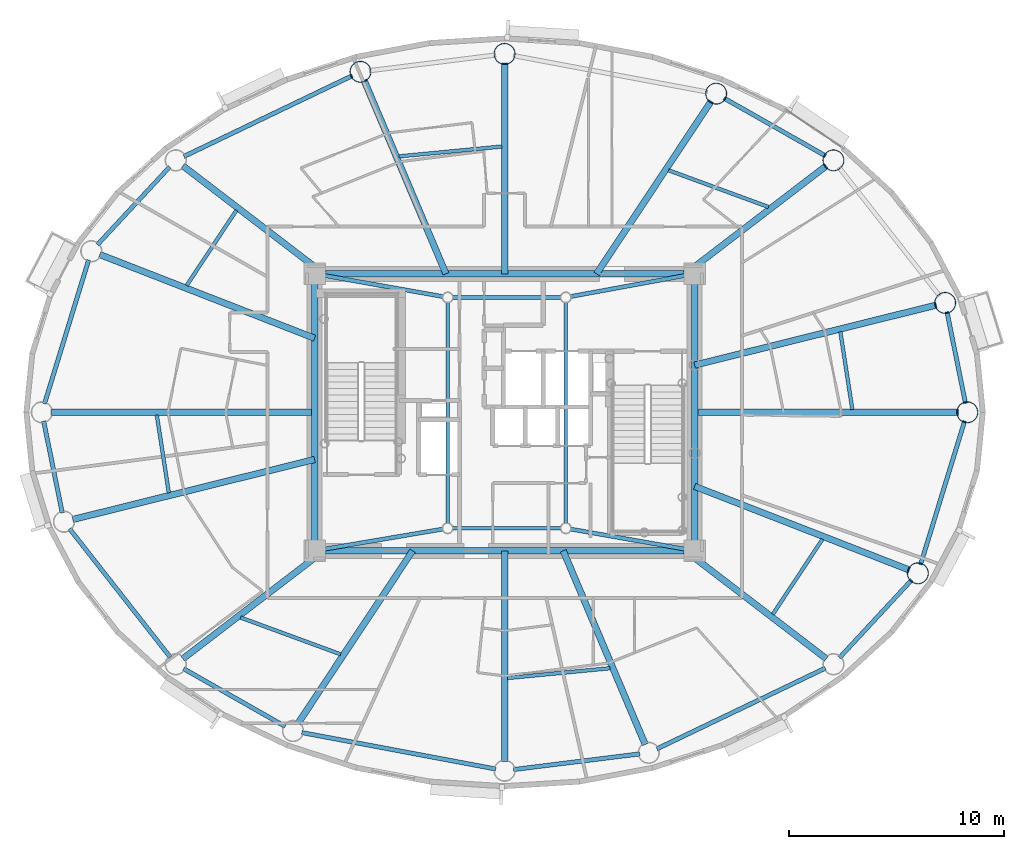
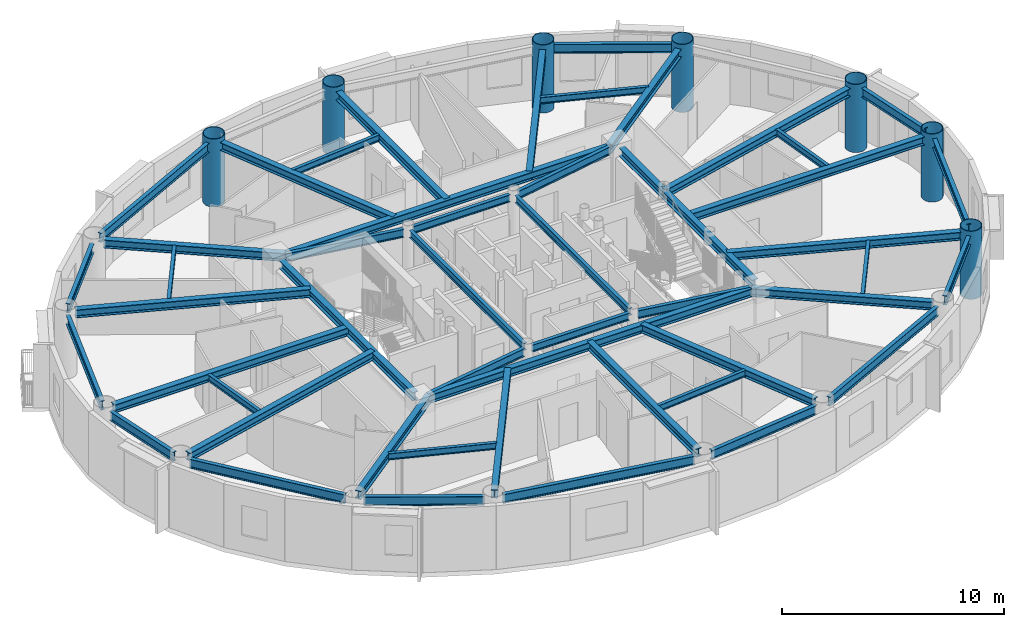
# One storey, part 2 of 17: 49 beams, 7 columns.
"""IFC4 building model written with IfcOpenShell, lengths in metres."""

from ifc_helpers import new_model, si_unit, direction, frame, origin, origin_2d, place, context, subcontext, project, spatial, hollow_circle, i_section, extrude, material, material_profile, profile_set, type_object, element, save


model = new_model("IFC4")

# Units and contexts
model_context = context("Model", 3, precision=1e-05, world=origin(), true_north=direction((0.0, 1.0)))
body_context = subcontext(model_context, "Body", "Model", "MODEL_VIEW")
ifc_project = project(units=[si_unit("LENGTHUNIT", "METRE"), si_unit("AREAUNIT", "SQUARE_METRE"), si_unit("VOLUMEUNIT", "CUBIC_METRE"), si_unit("PLANEANGLEUNIT", "RADIAN"), si_unit("MASSUNIT", "GRAM", prefix="KILO")], contexts=[model_context])

# Site, building, storey
site_placement = place(None, origin())
site = spatial("IfcSite", under=ifc_project, at=site_placement, CompositionType="ELEMENT")
building_placement = place(site_placement, origin())
building = spatial("IfcBuilding", under=site, at=building_placement, Name="Linh Dai School and Residence Tower", CompositionType="ELEMENT")
storey_placement = place(building_placement, frame((0.0, 0.0, 303.0)))
storey = spatial("IfcBuildingStorey", under=building, at=storey_placement, Name="L75", CompositionType="ELEMENT", Elevation=303.0)

# Columns
ifc_material = material(Name="Structural Steel S355JR", Category="steel")
ifc_material_profile_1 = material_profile(ifc_material, hollow_circle(Radius=0.5, WallThickness=0.031982421875, at=origin_2d()), Name="CHS 1000x32")
ifc_profile_set_1 = profile_set([ifc_material_profile_1], Name="Structural Steel S355JR")
column_type = type_object("IfcColumnType", Name="COL-MC6", PredefinedType="COLUMN", material=ifc_profile_set_1)
for number, where, z_axis, x_axis, name in (
    (1, (57.550048828125, 27.0, 0.0), (0.0, 0.0, 1.0), (1.0, 0.0, 0.0), "L75 Perimeter CFT Mega-Column MC01"),
    (2, (56.5185546875, 32.094482421875, 0.0), (0.0, 0.0, 1.0), (1.0, 0.0, 0.0), "L75 Perimeter CFT Mega-Column MC02"),
    (3, (51.315185546875, 38.7333984375, 0.0), (0.0, 0.0, 1.0), (1.0, 0.0, 0.0), "L75 Perimeter CFT Mega-Column MC03"),
    (4, (45.8544921875, 41.8388671875, 0.0), (0.0, 0.0, 1.0), (1.0, 0.0, 0.0), "L75 Perimeter CFT Mega-Column MC04"),
    (5, (36.0, 43.68994140625, 0.0), (0.0, 0.0, 1.0), (1.0, 0.0, 0.0), "L75 Perimeter CFT Mega-Column MC05"),
    (6, (29.28759765625, 42.857666015625, 0.0), (0.0, 0.0, 1.0), (1.0, 0.0, 0.0), "L75 Perimeter CFT Mega-Column MC06"),
    (7, (55.24609375, 19.50048828125, 0.0), (0.0, 0.0, 1.0), (1.0, 0.0, 0.0), "L75 Perimeter CFT Mega-Column MC16"),
):
    element("IfcColumn", number, at=place(storey_placement, frame(where, z_axis=z_axis, x_axis=x_axis)), inside=storey, type_object=column_type, Name=name, PredefinedType="COLUMN", context=body_context, shape_type="SweptSolid", body=[
        extrude(hollow_circle(Radius=0.5, WallThickness=0.031982421875, at=origin_2d()), origin(), (0.0, 0.0, 1.0), 3.75),
    ])

# Beams
ifc_material_profile_2 = material_profile(ifc_material, i_section(OverallWidth=0.199951171875, OverallDepth=0.5, WebThickness=0.01025390625, FlangeThickness=0.01611328125, FilletRadius=0.02099609375, at=origin_2d()), Name="IPE 500")
ifc_profile_set_2 = profile_set([ifc_material_profile_2], Name="Structural Steel S355JR")
beam_type_1 = type_object("IfcBeamType", Name="BM-RB50", PredefinedType="BEAM", material=ifc_profile_set_2)
beam_1_placement = place(storey_placement, frame((57.466552734375, 27.41162109375, 3.25), z_axis=(-0.198442801529, 0.980112470343, 0.0), x_axis=(-0.980112470343, -0.198442801529, 0.0)))
element("IfcBeam", 8, at=beam_1_placement, inside=storey, type_object=beam_type_1, Name="L75 Perimeter Elliptical Ring Beam 01", PredefinedType="BEAM", context=body_context, shape_type="SweptSolid", body=[
    extrude(i_section(OverallWidth=0.199951171875, OverallDepth=0.5, WebThickness=0.01025390625, FlangeThickness=0.01611328125, FilletRadius=0.02099609375, at=origin_2d()), origin(), (0.0, 0.0, 1.0), 4.357666015625),
])
beam_2_placement = place(storey_placement, frame((50.949951171875, 38.94091796875, 3.25), z_axis=(-0.869265548778, 0.494345431564, 0.0), x_axis=(-0.494345431564, -0.869265548778, 0.0)))
element("IfcBeam", 9, at=beam_2_placement, inside=storey, type_object=beam_type_1, Name="L75 Perimeter Elliptical Ring Beam 03", PredefinedType="BEAM", context=body_context, shape_type="SweptSolid", body=[
    extrude(i_section(OverallWidth=0.199951171875, OverallDepth=0.5, WebThickness=0.01025390625, FlangeThickness=0.01611328125, FilletRadius=0.02099609375, at=origin_2d()), origin(), (0.0, 0.0, 1.0), 5.44189453125),
])
beam_3_placement = place(storey_placement, frame((28.908935546875, 42.67626953125, 3.25), z_axis=(-0.901728757887, -0.4323022637, 0.0), x_axis=(0.4323022637, -0.901728757887, 0.0)))
element("IfcBeam", 10, at=beam_3_placement, inside=storey, type_object=beam_type_1, Name="L75 Perimeter Elliptical Ring Beam 06", PredefinedType="BEAM", context=body_context, shape_type="SweptSolid", body=[
    extrude(i_section(OverallWidth=0.199951171875, OverallDepth=0.5, WebThickness=0.01025390625, FlangeThickness=0.01611328125, FilletRadius=0.02099609375, at=origin_2d()), origin(), (0.0, 0.0, 1.0), 8.700439453125),
])
beam_4_placement = place(storey_placement, frame((20.399169921875, 38.425537109375, 3.25), z_axis=(-0.680415064526, -0.7328269509, 0.0), x_axis=(0.7328269509, -0.680415064526, 0.0)))
element("IfcBeam", 11, at=beam_4_placement, inside=storey, type_object=beam_type_1, Name="L75 Perimeter Elliptical Ring Beam 07", PredefinedType="BEAM", context=body_context, shape_type="SweptSolid", body=[
    extrude(i_section(OverallWidth=0.199951171875, OverallDepth=0.5, WebThickness=0.01025390625, FlangeThickness=0.01611328125, FilletRadius=0.02099609375, at=origin_2d()), origin(), (0.0, 0.0, 1.0), 4.9375),
])
beam_5_placement = place(storey_placement, frame((16.630615234375, 34.097900390625, 3.25), z_axis=(-0.293681749834, -0.955903253376, 0.0), x_axis=(0.955903253376, -0.293681749834, 0.0)))
element("IfcBeam", 12, at=beam_5_placement, inside=storey, type_object=beam_type_1, Name="L75 Perimeter Elliptical Ring Beam 08", PredefinedType="BEAM", context=body_context, shape_type="SweptSolid", body=[
    extrude(i_section(OverallWidth=0.199951171875, OverallDepth=0.5, WebThickness=0.01025390625, FlangeThickness=0.01611328125, FilletRadius=0.02099609375, at=origin_2d()), origin(), (0.0, 0.0, 1.0), 7.00537109375),
])
beam_6_placement = place(storey_placement, frame((14.533447265625, 26.58837890625, 3.25), z_axis=(0.198442801529, -0.980112470343, 0.0), x_axis=(0.980112470343, 0.198442801529, 0.0)))
element("IfcBeam", 13, at=beam_6_placement, inside=storey, type_object=beam_type_1, Name="L75 Perimeter Elliptical Ring Beam 09", PredefinedType="BEAM", context=body_context, shape_type="SweptSolid", body=[
    extrude(i_section(OverallWidth=0.199951171875, OverallDepth=0.5, WebThickness=0.01025390625, FlangeThickness=0.01611328125, FilletRadius=0.02099609375, at=origin_2d()), origin(), (0.0, 0.0, 1.0), 4.357666015625),
])
beam_7_placement = place(storey_placement, frame((15.740478515625, 21.574951171875, 3.25), z_axis=(0.616882739554, -0.787055071542, 0.0), x_axis=(0.787055071542, 0.616882739554, 0.0)))
element("IfcBeam", 14, at=beam_7_placement, inside=storey, type_object=beam_type_1, Name="L75 Perimeter Elliptical Ring Beam 10", PredefinedType="BEAM", context=body_context, shape_type="SweptSolid", body=[
    extrude(i_section(OverallWidth=0.199951171875, OverallDepth=0.5, WebThickness=0.01025390625, FlangeThickness=0.01611328125, FilletRadius=0.02099609375, at=origin_2d()), origin(), (0.0, 0.0, 1.0), 7.59521484375),
])
beam_8_placement = place(storey_placement, frame((21.050048828125, 15.05908203125, 3.25), z_axis=(0.869265548778, -0.494345431564, 0.0), x_axis=(0.494345431564, 0.869265548778, 0.0)))
element("IfcBeam", 15, at=beam_8_placement, inside=storey, type_object=beam_type_1, Name="L75 Perimeter Elliptical Ring Beam 11", PredefinedType="BEAM", context=body_context, shape_type="SweptSolid", body=[
    extrude(i_section(OverallWidth=0.199951171875, OverallDepth=0.5, WebThickness=0.01025390625, FlangeThickness=0.01611328125, FilletRadius=0.02099609375, at=origin_2d()), origin(), (0.0, 0.0, 1.0), 5.44189453125),
])
beam_9_placement = place(storey_placement, frame((26.558349609375, 12.083740234375, 3.25), z_axis=(0.982805333306, -0.184644731378, 0.0), x_axis=(0.184644731378, 0.982805333306, 0.0)))
element("IfcBeam", 16, at=beam_9_placement, inside=storey, type_object=beam_type_1, Name="L75 Perimeter Elliptical Ring Beam 12", PredefinedType="BEAM", context=body_context, shape_type="SweptSolid", body=[
    extrude(i_section(OverallWidth=0.199951171875, OverallDepth=0.5, WebThickness=0.01025390625, FlangeThickness=0.01611328125, FilletRadius=0.02099609375, at=origin_2d()), origin(), (0.0, 0.0, 1.0), 9.186767578125),
])
beam_10_placement = place(storey_placement, frame((36.416748046875, 10.361572265625, 3.25), z_axis=(0.992399134443, 0.123060789678, 0.0), x_axis=(-0.123060789678, 0.992399134443, 0.0)))
element("IfcBeam", 17, at=beam_10_placement, inside=storey, type_object=beam_type_1, Name="L75 Perimeter Elliptical Ring Beam 13", PredefinedType="BEAM", context=body_context, shape_type="SweptSolid", body=[
    extrude(i_section(OverallWidth=0.199951171875, OverallDepth=0.5, WebThickness=0.01025390625, FlangeThickness=0.01611328125, FilletRadius=0.02099609375, at=origin_2d()), origin(), (0.0, 0.0, 1.0), 5.923828125),
])
beam_11_placement = place(storey_placement, frame((43.091064453125, 11.32373046875, 3.25), z_axis=(0.901728757887, 0.4323022637, 0.0), x_axis=(-0.4323022637, 0.901728757887, 0.0)))
element("IfcBeam", 18, at=beam_11_placement, inside=storey, type_object=beam_type_1, Name="L75 Perimeter Elliptical Ring Beam 14", PredefinedType="BEAM", context=body_context, shape_type="SweptSolid", body=[
    extrude(i_section(OverallWidth=0.199951171875, OverallDepth=0.5, WebThickness=0.01025390625, FlangeThickness=0.01611328125, FilletRadius=0.02099609375, at=origin_2d()), origin(), (0.0, 0.0, 1.0), 8.700439453125),
])
beam_12_placement = place(storey_placement, frame((51.600830078125, 15.574462890625, 3.25), z_axis=(0.680415064526, 0.7328269509, 0.0), x_axis=(-0.7328269509, 0.680415064526, 0.0)))
element("IfcBeam", 19, at=beam_12_placement, inside=storey, type_object=beam_type_1, Name="L75 Perimeter Elliptical Ring Beam 15", PredefinedType="BEAM", context=body_context, shape_type="SweptSolid", body=[
    extrude(i_section(OverallWidth=0.199951171875, OverallDepth=0.5, WebThickness=0.01025390625, FlangeThickness=0.01611328125, FilletRadius=0.02099609375, at=origin_2d()), origin(), (0.0, 0.0, 1.0), 4.9375),
])
beam_13_placement = place(storey_placement, frame((55.369384765625, 19.902099609375, 3.25), z_axis=(0.293681749834, 0.955903253376, 0.0), x_axis=(-0.955903253376, 0.293681749834, 0.0)))
element("IfcBeam", 20, at=beam_13_placement, inside=storey, type_object=beam_type_1, Name="L75 Perimeter Elliptical Ring Beam 16", PredefinedType="BEAM", context=body_context, shape_type="SweptSolid", body=[
    extrude(i_section(OverallWidth=0.199951171875, OverallDepth=0.5, WebThickness=0.01025390625, FlangeThickness=0.01611328125, FilletRadius=0.02099609375, at=origin_2d()), origin(), (0.0, 0.0, 1.0), 7.00537109375),
])
ifc_material_profile_3 = material_profile(ifc_material, i_section(OverallWidth=0.300048828125, OverallDepth=0.449951171875, WebThickness=0.013916015625, FlangeThickness=0.02587890625, FilletRadius=0.027099609375, at=origin_2d()), Name="HEB 450")
ifc_profile_set_3 = profile_set([ifc_material_profile_3], Name="Structural Steel S355JR")
beam_type_2 = type_object("IfcBeamType", Name="BM-RG45", PredefinedType="BEAM", material=ifc_profile_set_3)
beam_14_placement = place(storey_placement, frame((27.570068359375, 20.550048828125, 3.27490234375), z_axis=(1.0, 0.0, 0.0), x_axis=(0.0, 1.0, 0.0)))
element("IfcBeam", 21, at=beam_14_placement, inside=storey, type_object=beam_type_2, Name="L75 Core Perimeter Coupling Girder 1", PredefinedType="BEAM", context=body_context, shape_type="SweptSolid", body=[
    extrude(i_section(OverallWidth=0.300048828125, OverallDepth=0.449951171875, WebThickness=0.013916015625, FlangeThickness=0.02587890625, FilletRadius=0.027099609375, at=origin_2d()), origin(), (0.0, 0.0, 1.0), 16.85986328125),
])
beam_15_placement = place(storey_placement, frame((44.85009765625, 20.969970703125, 3.27490234375), z_axis=(0.0, 1.0, 0.0), x_axis=(-1.0, 0.0, 0.0)))
element("IfcBeam", 22, at=beam_15_placement, inside=storey, type_object=beam_type_2, Name="L75 Core Perimeter Coupling Girder 2", PredefinedType="BEAM", context=body_context, shape_type="SweptSolid", body=[
    extrude(i_section(OverallWidth=0.300048828125, OverallDepth=0.449951171875, WebThickness=0.013916015625, FlangeThickness=0.02587890625, FilletRadius=0.027099609375, at=origin_2d()), origin(), (0.0, 0.0, 1.0), 12.06005859375),
])
beam_16_placement = place(storey_placement, frame((44.429931640625, 33.449951171875, 3.27490234375), z_axis=(-1.0, 0.0, 0.0), x_axis=(0.0, -1.0, 0.0)))
element("IfcBeam", 23, at=beam_16_placement, inside=storey, type_object=beam_type_2, Name="L75 Core Perimeter Coupling Girder 3", PredefinedType="BEAM", context=body_context, shape_type="SweptSolid", body=[
    extrude(i_section(OverallWidth=0.300048828125, OverallDepth=0.449951171875, WebThickness=0.013916015625, FlangeThickness=0.02587890625, FilletRadius=0.027099609375, at=origin_2d()), origin(), (0.0, 0.0, 1.0), 16.85986328125),
])
beam_17_placement = place(storey_placement, frame((27.14990234375, 33.030029296875, 3.27490234375), z_axis=(0.0, -1.0, 0.0), x_axis=(1.0, 0.0, 0.0)))
element("IfcBeam", 24, at=beam_17_placement, inside=storey, type_object=beam_type_2, Name="L75 Core Perimeter Coupling Girder 4", PredefinedType="BEAM", context=body_context, shape_type="SweptSolid", body=[
    extrude(i_section(OverallWidth=0.300048828125, OverallDepth=0.449951171875, WebThickness=0.013916015625, FlangeThickness=0.02587890625, FilletRadius=0.027099609375, at=origin_2d()), origin(), (0.0, 0.0, 1.0), 12.06005859375),
])
beam_18_placement = place(storey_placement, frame((44.85009765625, 27.0, 3.27490234375), z_axis=(1.0, 0.0, 0.0), x_axis=(0.0, 1.0, 0.0)))
element("IfcBeam", 25, at=beam_18_placement, inside=storey, type_object=beam_type_2, Name="L75 Primary Radial Floor Girder 01", PredefinedType="BEAM", context=body_context, shape_type="SweptSolid", body=[
    extrude(i_section(OverallWidth=0.300048828125, OverallDepth=0.449951171875, WebThickness=0.013916015625, FlangeThickness=0.02587890625, FilletRadius=0.027099609375, at=origin_2d()), origin(), (0.0, 0.0, 1.0), 12.27978515625),
])
beam_19_placement = place(storey_placement, frame((44.85009765625, 29.197265625, 3.27490234375), z_axis=(0.970532368701, 0.240970789315, 0.0), x_axis=(-0.240970789315, 0.970532368701, 0.0)))
element("IfcBeam", 26, at=beam_19_placement, inside=storey, type_object=beam_type_2, Name="L75 Primary Radial Floor Girder 02", PredefinedType="BEAM", context=body_context, shape_type="SweptSolid", body=[
    extrude(i_section(OverallWidth=0.300048828125, OverallDepth=0.449951171875, WebThickness=0.013916015625, FlangeThickness=0.02587890625, FilletRadius=0.027099609375, at=origin_2d()), origin(), (0.0, 0.0, 1.0), 11.6025390625),
])
beam_20_placement = place(storey_placement, frame((44.4189453125, 33.449951171875, 3.27490234375), z_axis=(0.793802616583, 0.608175472956, 0.0), x_axis=(-0.608175472956, 0.793802616583, 0.0)))
element("IfcBeam", 27, at=beam_20_placement, inside=storey, type_object=beam_type_2, Name="L75 Primary Radial Floor Girder 03", PredefinedType="BEAM", context=body_context, shape_type="SweptSolid", body=[
    extrude(i_section(OverallWidth=0.300048828125, OverallDepth=0.449951171875, WebThickness=0.013916015625, FlangeThickness=0.02587890625, FilletRadius=0.027099609375, at=origin_2d()), origin(), (0.0, 0.0, 1.0), 8.267578125),
])
beam_21_placement = place(storey_placement, frame((40.283447265625, 33.449951171875, 3.27490234375), z_axis=(0.553210566646, 0.833041456922, 0.0), x_axis=(-0.833041456922, 0.553210566646, 0.0)))
element("IfcBeam", 28, at=beam_21_placement, inside=storey, type_object=beam_type_2, Name="L75 Primary Radial Floor Girder 04", PredefinedType="BEAM", context=body_context, shape_type="SweptSolid", body=[
    extrude(i_section(OverallWidth=0.300048828125, OverallDepth=0.449951171875, WebThickness=0.013916015625, FlangeThickness=0.02587890625, FilletRadius=0.027099609375, at=origin_2d()), origin(), (0.0, 0.0, 1.0), 9.650146484375),
])
beam_22_placement = place(storey_placement, frame((36.0, 33.449951171875, 3.27490234375), z_axis=(0.0, 1.0, 0.0), x_axis=(-1.0, 0.0, 0.0)))
element("IfcBeam", 29, at=beam_22_placement, inside=storey, type_object=beam_type_2, Name="L75 Primary Radial Floor Girder 05", PredefinedType="BEAM", context=body_context, shape_type="SweptSolid", body=[
    extrude(i_section(OverallWidth=0.300048828125, OverallDepth=0.449951171875, WebThickness=0.013916015625, FlangeThickness=0.02587890625, FilletRadius=0.027099609375, at=origin_2d()), origin(), (0.0, 0.0, 1.0), 9.820068359375),
])
beam_23_placement = place(storey_placement, frame((33.269775390625, 33.449951171875, 3.27490234375), z_axis=(-0.389794463678, 0.920901881899, 0.0), x_axis=(-0.920901881899, -0.389794463678, 0.0)))
element("IfcBeam", 30, at=beam_23_placement, inside=storey, type_object=beam_type_2, Name="L75 Primary Radial Floor Girder 06", PredefinedType="BEAM", context=body_context, shape_type="SweptSolid", body=[
    extrude(i_section(OverallWidth=0.300048828125, OverallDepth=0.449951171875, WebThickness=0.013916015625, FlangeThickness=0.02587890625, FilletRadius=0.027099609375, at=origin_2d()), origin(), (0.0, 0.0, 1.0), 9.7958984375),
])
beam_24_placement = place(storey_placement, frame((27.5810546875, 33.449951171875, 3.27490234375), z_axis=(-0.793802616583, 0.608175472956, 0.0), x_axis=(-0.608175472956, -0.793802616583, 0.0)))
element("IfcBeam", 31, at=beam_24_placement, inside=storey, type_object=beam_type_2, Name="L75 Primary Radial Floor Girder 07", PredefinedType="BEAM", context=body_context, shape_type="SweptSolid", body=[
    extrude(i_section(OverallWidth=0.300048828125, OverallDepth=0.449951171875, WebThickness=0.013916015625, FlangeThickness=0.02587890625, FilletRadius=0.027099609375, at=origin_2d()), origin(), (0.0, 0.0, 1.0), 8.267578125),
])
beam_25_placement = place(storey_placement, frame((27.14990234375, 30.448486328125, 3.27490234375), z_axis=(-0.931760809838, 0.363072710693, 0.0), x_axis=(-0.363072710693, -0.931760809838, 0.0)))
element("IfcBeam", 32, at=beam_25_placement, inside=storey, type_object=beam_type_2, Name="L75 Primary Radial Floor Girder 08", PredefinedType="BEAM", context=body_context, shape_type="SweptSolid", body=[
    extrude(i_section(OverallWidth=0.300048828125, OverallDepth=0.449951171875, WebThickness=0.013916015625, FlangeThickness=0.02587890625, FilletRadius=0.027099609375, at=origin_2d()), origin(), (0.0, 0.0, 1.0), 10.7373046875),
])
beam_26_placement = place(storey_placement, frame((27.14990234375, 27.0, 3.27490234375), z_axis=(-1.0, 0.0, 0.0), x_axis=(0.0, -1.0, 0.0)))
element("IfcBeam", 33, at=beam_26_placement, inside=storey, type_object=beam_type_2, Name="L75 Primary Radial Floor Girder 09", PredefinedType="BEAM", context=body_context, shape_type="SweptSolid", body=[
    extrude(i_section(OverallWidth=0.300048828125, OverallDepth=0.449951171875, WebThickness=0.013916015625, FlangeThickness=0.02587890625, FilletRadius=0.027099609375, at=origin_2d()), origin(), (0.0, 0.0, 1.0), 12.27978515625),
])
beam_27_placement = place(storey_placement, frame((27.14990234375, 24.802734375, 3.27490234375), z_axis=(-0.970532368701, -0.240970789315, 0.0), x_axis=(0.240970789315, -0.970532368701, 0.0)))
element("IfcBeam", 34, at=beam_27_placement, inside=storey, type_object=beam_type_2, Name="L75 Primary Radial Floor Girder 10", PredefinedType="BEAM", context=body_context, shape_type="SweptSolid", body=[
    extrude(i_section(OverallWidth=0.300048828125, OverallDepth=0.449951171875, WebThickness=0.013916015625, FlangeThickness=0.02587890625, FilletRadius=0.027099609375, at=origin_2d()), origin(), (0.0, 0.0, 1.0), 11.6025390625),
])
beam_28_placement = place(storey_placement, frame((27.5810546875, 20.550048828125, 3.27490234375), z_axis=(-0.793802616583, -0.608175472956, 0.0), x_axis=(0.608175472956, -0.793802616583, 0.0)))
element("IfcBeam", 35, at=beam_28_placement, inside=storey, type_object=beam_type_2, Name="L75 Primary Radial Floor Girder 11", PredefinedType="BEAM", context=body_context, shape_type="SweptSolid", body=[
    extrude(i_section(OverallWidth=0.300048828125, OverallDepth=0.449951171875, WebThickness=0.013916015625, FlangeThickness=0.02587890625, FilletRadius=0.027099609375, at=origin_2d()), origin(), (0.0, 0.0, 1.0), 8.267578125),
])
beam_29_placement = place(storey_placement, frame((31.716552734375, 20.550048828125, 3.27490234375), z_axis=(-0.553210566646, -0.833041456922, 0.0), x_axis=(0.833041456922, -0.553210566646, 0.0)))
element("IfcBeam", 36, at=beam_29_placement, inside=storey, type_object=beam_type_2, Name="L75 Primary Radial Floor Girder 12", PredefinedType="BEAM", context=body_context, shape_type="SweptSolid", body=[
    extrude(i_section(OverallWidth=0.300048828125, OverallDepth=0.449951171875, WebThickness=0.013916015625, FlangeThickness=0.02587890625, FilletRadius=0.027099609375, at=origin_2d()), origin(), (0.0, 0.0, 1.0), 9.650146484375),
])
beam_30_placement = place(storey_placement, frame((36.0, 20.550048828125, 3.27490234375), z_axis=(0.0, -1.0, 0.0), x_axis=(1.0, 0.0, 0.0)))
element("IfcBeam", 37, at=beam_30_placement, inside=storey, type_object=beam_type_2, Name="L75 Primary Radial Floor Girder 13", PredefinedType="BEAM", context=body_context, shape_type="SweptSolid", body=[
    extrude(i_section(OverallWidth=0.300048828125, OverallDepth=0.449951171875, WebThickness=0.013916015625, FlangeThickness=0.02587890625, FilletRadius=0.027099609375, at=origin_2d()), origin(), (0.0, 0.0, 1.0), 9.820068359375),
])
beam_31_placement = place(storey_placement, frame((38.730224609375, 20.550048828125, 3.27490234375), z_axis=(0.389794463678, -0.920901881899, 0.0), x_axis=(0.920901881899, 0.389794463678, 0.0)))
element("IfcBeam", 38, at=beam_31_placement, inside=storey, type_object=beam_type_2, Name="L75 Primary Radial Floor Girder 14", PredefinedType="BEAM", context=body_context, shape_type="SweptSolid", body=[
    extrude(i_section(OverallWidth=0.300048828125, OverallDepth=0.449951171875, WebThickness=0.013916015625, FlangeThickness=0.02587890625, FilletRadius=0.027099609375, at=origin_2d()), origin(), (0.0, 0.0, 1.0), 9.7958984375),
])
beam_32_placement = place(storey_placement, frame((44.4189453125, 20.550048828125, 3.27490234375), z_axis=(0.793802616583, -0.608175472956, 0.0), x_axis=(0.608175472956, 0.793802616583, 0.0)))
element("IfcBeam", 39, at=beam_32_placement, inside=storey, type_object=beam_type_2, Name="L75 Primary Radial Floor Girder 15", PredefinedType="BEAM", context=body_context, shape_type="SweptSolid", body=[
    extrude(i_section(OverallWidth=0.300048828125, OverallDepth=0.449951171875, WebThickness=0.013916015625, FlangeThickness=0.02587890625, FilletRadius=0.027099609375, at=origin_2d()), origin(), (0.0, 0.0, 1.0), 8.267578125),
])
beam_33_placement = place(storey_placement, frame((44.85009765625, 23.551513671875, 3.27490234375), z_axis=(0.931760809838, -0.363072710693, 0.0), x_axis=(0.363072710693, 0.931760809838, 0.0)))
element("IfcBeam", 40, at=beam_33_placement, inside=storey, type_object=beam_type_2, Name="L75 Primary Radial Floor Girder 16", PredefinedType="BEAM", context=body_context, shape_type="SweptSolid", body=[
    extrude(i_section(OverallWidth=0.300048828125, OverallDepth=0.449951171875, WebThickness=0.013916015625, FlangeThickness=0.02587890625, FilletRadius=0.027099609375, at=origin_2d()), origin(), (0.0, 0.0, 1.0), 10.7373046875),
])
ifc_material_profile_4 = material_profile(ifc_material, i_section(OverallWidth=0.169921875, OverallDepth=0.360107421875, WebThickness=0.008056640625, FlangeThickness=0.0126953125, FilletRadius=0.01806640625, at=origin_2d()), Name="IPE 360")
ifc_profile_set_4 = profile_set([ifc_material_profile_4], Name="Structural Steel S355JR")
beam_type_3 = type_object("IfcBeamType", Name="BM-SB36", PredefinedType="BEAM", material=ifc_profile_set_4)
beam_34_placement = place(storey_placement, frame((52.1962890625, 27.12841796875, 3.320068359375), z_axis=(-0.152477826599, 0.988306891808, 0.0), x_axis=(-0.988306891808, -0.152477826599, 0.0)))
element("IfcBeam", 41, at=beam_34_placement, inside=storey, type_object=beam_type_3, Name="L75 Secondary Circumferential Floor Beam 01", PredefinedType="BEAM", context=body_context, shape_type="SweptSolid", body=[
    extrude(i_section(OverallWidth=0.169921875, OverallDepth=0.360107421875, WebThickness=0.008056640625, FlangeThickness=0.0126953125, FilletRadius=0.01806640625, at=origin_2d()), origin(), (0.0, 0.0, 1.0), 3.663330078125),
])
beam_35_placement = place(storey_placement, frame((48.296630859375, 36.55908203125, 3.320068359375), z_axis=(-0.93867853021, 0.344793585964, 0.0), x_axis=(-0.344793585964, -0.93867853021, 0.0)))
element("IfcBeam", 42, at=beam_35_placement, inside=storey, type_object=beam_type_3, Name="L75 Secondary Circumferential Floor Beam 02", PredefinedType="BEAM", context=body_context, shape_type="SweptSolid", body=[
    extrude(i_section(OverallWidth=0.169921875, OverallDepth=0.360107421875, WebThickness=0.008056640625, FlangeThickness=0.0126953125, FilletRadius=0.01806640625, at=origin_2d()), origin(), (0.0, 0.0, 1.0), 4.96435546875),
])
beam_36_placement = place(storey_placement, frame((35.87060546875, 39.376708984375, 3.320068359375), z_axis=(-0.995447598318, -0.09531043491, 0.0), x_axis=(0.09531043491, -0.995447598318, 0.0)))
element("IfcBeam", 43, at=beam_36_placement, inside=storey, type_object=beam_type_3, Name="L75 Secondary Circumferential Floor Beam 03", PredefinedType="BEAM", context=body_context, shape_type="SweptSolid", body=[
    extrude(i_section(OverallWidth=0.169921875, OverallDepth=0.360107421875, WebThickness=0.008056640625, FlangeThickness=0.0126953125, FilletRadius=0.01806640625, at=origin_2d()), origin(), (0.0, 0.0, 1.0), 4.802978515625),
])
beam_37_placement = place(storey_placement, frame((23.509521484375, 36.406005859375, 3.320068359375), z_axis=(-0.552120293776, -0.833764463863, 0.0), x_axis=(0.833764463863, -0.552120293776, 0.0)))
element("IfcBeam", 44, at=beam_37_placement, inside=storey, type_object=beam_type_3, Name="L75 Secondary Circumferential Floor Beam 04", PredefinedType="BEAM", context=body_context, shape_type="SweptSolid", body=[
    extrude(i_section(OverallWidth=0.169921875, OverallDepth=0.360107421875, WebThickness=0.008056640625, FlangeThickness=0.0126953125, FilletRadius=0.01806640625, at=origin_2d()), origin(), (0.0, 0.0, 1.0), 4.197265625),
])
beam_38_placement = place(storey_placement, frame((19.8037109375, 26.87158203125, 3.320068359375), z_axis=(0.152477826599, -0.988306891808, 0.0), x_axis=(0.988306891808, 0.152477826599, 0.0)))
element("IfcBeam", 45, at=beam_38_placement, inside=storey, type_object=beam_type_3, Name="L75 Secondary Circumferential Floor Beam 05", PredefinedType="BEAM", context=body_context, shape_type="SweptSolid", body=[
    extrude(i_section(OverallWidth=0.169921875, OverallDepth=0.360107421875, WebThickness=0.008056640625, FlangeThickness=0.0126953125, FilletRadius=0.01806640625, at=origin_2d()), origin(), (0.0, 0.0, 1.0), 3.663330078125),
])
beam_39_placement = place(storey_placement, frame((23.703369140625, 17.44091796875, 3.320068359375), z_axis=(0.93867853021, -0.344793585964, 0.0), x_axis=(0.344793585964, 0.93867853021, 0.0)))
element("IfcBeam", 46, at=beam_39_placement, inside=storey, type_object=beam_type_3, Name="L75 Secondary Circumferential Floor Beam 06", PredefinedType="BEAM", context=body_context, shape_type="SweptSolid", body=[
    extrude(i_section(OverallWidth=0.169921875, OverallDepth=0.360107421875, WebThickness=0.008056640625, FlangeThickness=0.0126953125, FilletRadius=0.01806640625, at=origin_2d()), origin(), (0.0, 0.0, 1.0), 4.96435546875),
])
beam_40_placement = place(storey_placement, frame((36.12939453125, 14.623291015625, 3.320068359375), z_axis=(0.995447598318, 0.09531043491, 0.0), x_axis=(-0.09531043491, 0.995447598318, 0.0)))
element("IfcBeam", 47, at=beam_40_placement, inside=storey, type_object=beam_type_3, Name="L75 Secondary Circumferential Floor Beam 07", PredefinedType="BEAM", context=body_context, shape_type="SweptSolid", body=[
    extrude(i_section(OverallWidth=0.169921875, OverallDepth=0.360107421875, WebThickness=0.008056640625, FlangeThickness=0.0126953125, FilletRadius=0.01806640625, at=origin_2d()), origin(), (0.0, 0.0, 1.0), 4.802978515625),
])
beam_41_placement = place(storey_placement, frame((48.490478515625, 17.593994140625, 3.320068359375), z_axis=(0.552120293776, 0.833764463863, 0.0), x_axis=(-0.833764463863, 0.552120293776, 0.0)))
element("IfcBeam", 48, at=beam_41_placement, inside=storey, type_object=beam_type_3, Name="L75 Secondary Circumferential Floor Beam 08", PredefinedType="BEAM", context=body_context, shape_type="SweptSolid", body=[
    extrude(i_section(OverallWidth=0.169921875, OverallDepth=0.360107421875, WebThickness=0.008056640625, FlangeThickness=0.0126953125, FilletRadius=0.01806640625, at=origin_2d()), origin(), (0.0, 0.0, 1.0), 4.197265625),
])
ifc_material_profile_5 = material_profile(ifc_material, i_section(OverallWidth=0.179931640625, OverallDepth=0.39990234375, WebThickness=0.008544921875, FlangeThickness=0.013427734375, FilletRadius=0.02099609375, at=origin_2d()), Name="IPE 400")
ifc_profile_set_5 = profile_set([ifc_material_profile_5], Name="Structural Steel S355JR")
beam_type_4 = type_object("IfcBeamType", Name="BM-SB40", PredefinedType="BEAM", material=ifc_profile_set_5)
beam_42_placement = place(storey_placement, frame((33.573974609375, 21.60009765625, 3.300048828125), z_axis=(1.0, 0.0, 0.0), x_axis=(0.0, 1.0, 0.0)))
element("IfcBeam", 49, at=beam_42_placement, inside=storey, type_object=beam_type_4, Name="L75 Core Mast Pier Tie Beam 1", PredefinedType="BEAM", context=body_context, shape_type="SweptSolid", body=[
    extrude(i_section(OverallWidth=0.179931640625, OverallDepth=0.39990234375, WebThickness=0.008544921875, FlangeThickness=0.013427734375, FilletRadius=0.02099609375, at=origin_2d()), origin(), (0.0, 0.0, 1.0), 5.052001953125),
])
beam_43_placement = place(storey_placement, frame((38.85009765625, 21.823974609375, 3.300048828125), z_axis=(0.0, 1.0, 0.0), x_axis=(-1.0, 0.0, 0.0)))
element("IfcBeam", 50, at=beam_43_placement, inside=storey, type_object=beam_type_4, Name="L75 Core Mast Pier Tie Beam 2", PredefinedType="BEAM", context=body_context, shape_type="SweptSolid", body=[
    extrude(i_section(OverallWidth=0.179931640625, OverallDepth=0.39990234375, WebThickness=0.008544921875, FlangeThickness=0.013427734375, FilletRadius=0.02099609375, at=origin_2d()), origin(), (0.0, 0.0, 1.0), 10.302001953125),
])
beam_44_placement = place(storey_placement, frame((38.6259765625, 32.35009765625, 3.300048828125), z_axis=(-1.0, 0.0, 0.0), x_axis=(0.0, -1.0, 0.0)))
element("IfcBeam", 51, at=beam_44_placement, inside=storey, type_object=beam_type_4, Name="L75 Core Mast Pier Tie Beam 3", PredefinedType="BEAM", context=body_context, shape_type="SweptSolid", body=[
    extrude(i_section(OverallWidth=0.179931640625, OverallDepth=0.39990234375, WebThickness=0.008544921875, FlangeThickness=0.013427734375, FilletRadius=0.02099609375, at=origin_2d()), origin(), (0.0, 0.0, 1.0), 5.052001953125),
])
beam_45_placement = place(storey_placement, frame((33.35009765625, 32.1259765625, 3.300048828125), z_axis=(0.0, -1.0, 0.0), x_axis=(1.0, 0.0, 0.0)))
element("IfcBeam", 52, at=beam_45_placement, inside=storey, type_object=beam_type_4, Name="L75 Core Mast Pier Tie Beam 4", PredefinedType="BEAM", context=body_context, shape_type="SweptSolid", body=[
    extrude(i_section(OverallWidth=0.179931640625, OverallDepth=0.39990234375, WebThickness=0.008544921875, FlangeThickness=0.013427734375, FilletRadius=0.02099609375, at=origin_2d()), origin(), (0.0, 0.0, 1.0), 10.302001953125),
])
ifc_material_profile_6 = material_profile(ifc_material, i_section(OverallWidth=0.18994140625, OverallDepth=0.449951171875, WebThickness=0.009521484375, FlangeThickness=0.0146484375, FilletRadius=0.02099609375, at=origin_2d()), Name="IPE 450")
ifc_profile_set_6 = profile_set([ifc_material_profile_6], Name="Structural Steel S355JR")
beam_type_5 = type_object("IfcBeamType", Name="BM-SB45", PredefinedType="BEAM", material=ifc_profile_set_6)
beam_46_placement = place(storey_placement, frame((27.564208984375, 20.6201171875, 3.27490234375), z_axis=(0.98596270559, 0.166965694638, 0.0), x_axis=(-0.166965694638, 0.98596270559, 0.0)))
element("IfcBeam", 53, at=beam_46_placement, inside=storey, type_object=beam_type_5, Name="L75 Core Corner-to-Mast Pier Beam 1", PredefinedType="BEAM", context=body_context, shape_type="SweptSolid", body=[
    extrude(i_section(OverallWidth=0.18994140625, OverallDepth=0.449951171875, WebThickness=0.009521484375, FlangeThickness=0.0146484375, FilletRadius=0.02099609375, at=origin_2d()), origin(), (0.0, 0.0, 1.0), 5.644287109375),
])
beam_47_placement = place(storey_placement, frame((44.436279296875, 20.622314453125, 3.27490234375), z_axis=(-0.985031608673, 0.17237380867, 0.0), x_axis=(-0.17237380867, -0.985031608673, 0.0)))
element("IfcBeam", 54, at=beam_47_placement, inside=storey, type_object=beam_type_5, Name="L75 Core Corner-to-Mast Pier Beam 2", PredefinedType="BEAM", context=body_context, shape_type="SweptSolid", body=[
    extrude(i_section(OverallWidth=0.18994140625, OverallDepth=0.449951171875, WebThickness=0.009521484375, FlangeThickness=0.0146484375, FilletRadius=0.02099609375, at=origin_2d()), origin(), (0.0, 0.0, 1.0), 5.447265625),
])
beam_48_placement = place(storey_placement, frame((44.436767578125, 33.374267578125, 3.27490234375), z_axis=(-0.983605366802, -0.180334362777, 0.0), x_axis=(0.180334362777, -0.983605366802, 0.0)))
element("IfcBeam", 55, at=beam_48_placement, inside=storey, type_object=beam_type_5, Name="L75 Core Corner-to-Mast Pier Beam 3", PredefinedType="BEAM", context=body_context, shape_type="SweptSolid", body=[
    extrude(i_section(OverallWidth=0.18994140625, OverallDepth=0.449951171875, WebThickness=0.009521484375, FlangeThickness=0.0146484375, FilletRadius=0.02099609375, at=origin_2d()), origin(), (0.0, 0.0, 1.0), 5.455810546875),
])
beam_49_placement = place(storey_placement, frame((27.5634765625, 33.376708984375, 3.27490234375), z_axis=(0.984621828197, -0.174699328672, 0.0), x_axis=(0.174699328672, 0.984621828197, 0.0)))
element("IfcBeam", 56, at=beam_49_placement, inside=storey, type_object=beam_type_5, Name="L75 Core Corner-to-Mast Pier Beam 4", PredefinedType="BEAM", context=body_context, shape_type="SweptSolid", body=[
    extrude(i_section(OverallWidth=0.18994140625, OverallDepth=0.449951171875, WebThickness=0.009521484375, FlangeThickness=0.0146484375, FilletRadius=0.02099609375, at=origin_2d()), origin(), (0.0, 0.0, 1.0), 5.65283203125),
])

save(model, "model.ifc")
